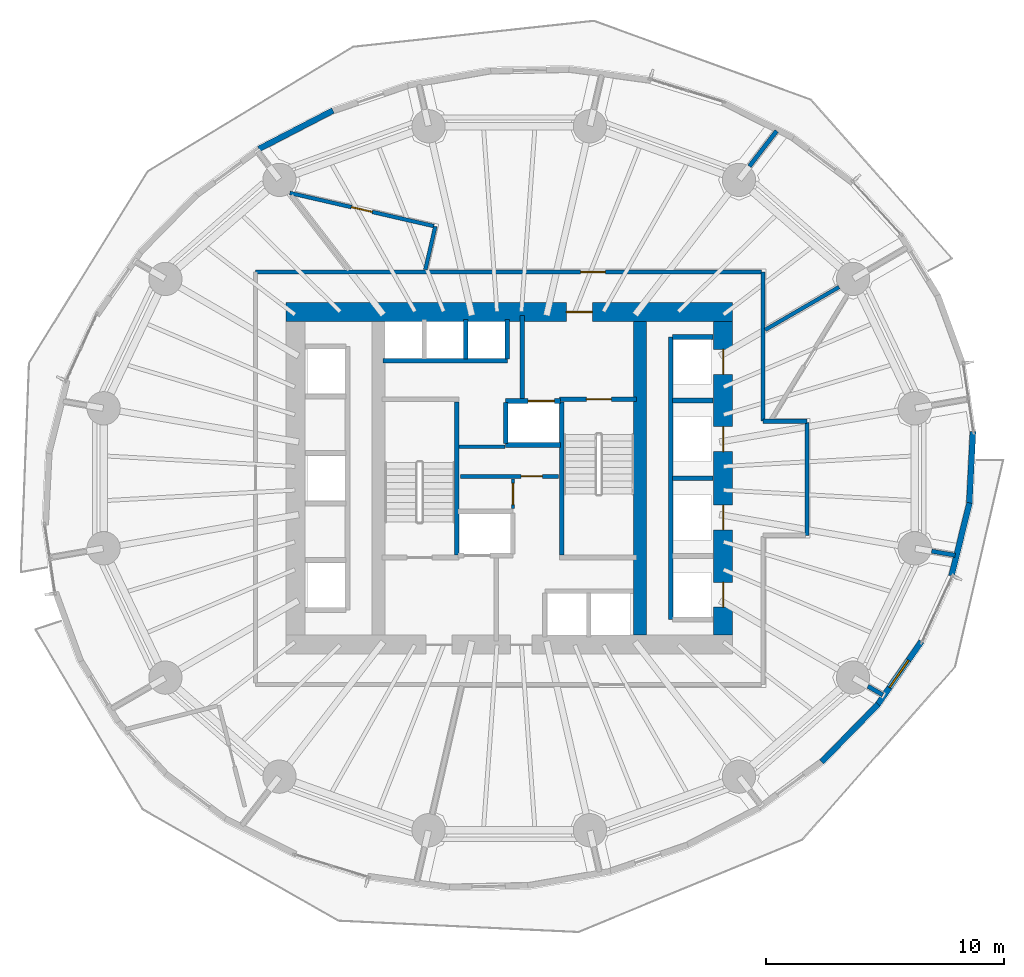
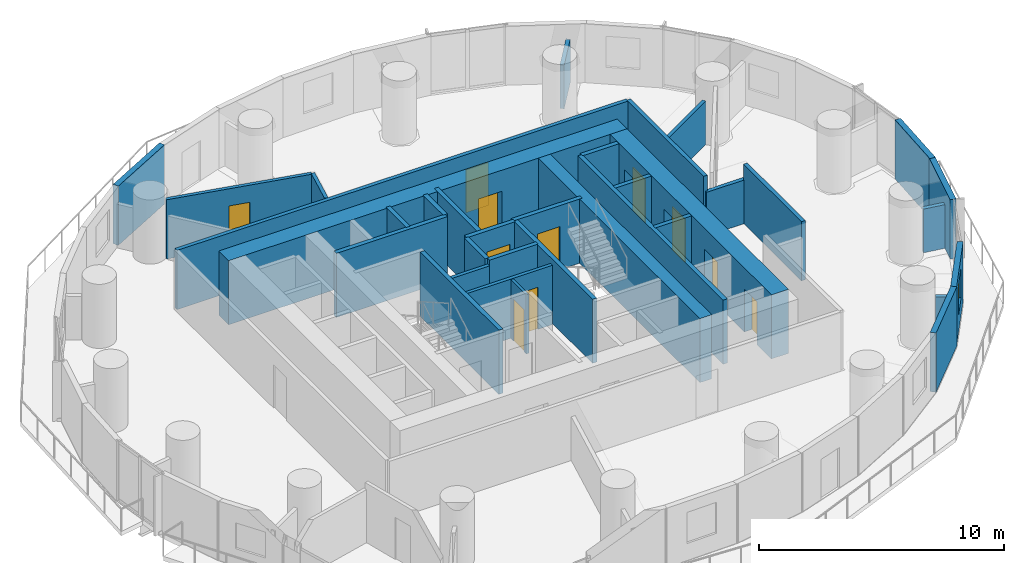
# One storey, part 8 of 13: 35 walls, 11 doors, 1 window, 12 openings.
"""IFC4 building model written with IfcOpenShell, lengths in metres."""

from ifc_helpers import new_model, si_unit, direction, frame, frame_2d, origin, place, context, subcontext, project, spatial, rectangle, extrude, material, layer, layer_set, type_object, element, fill, save


model = new_model("IFC4")

# Units and contexts
model_context = context("Model", 3, precision=1e-05, world=origin(), true_north=direction((0.0, 1.0)))
body_context = subcontext(model_context, "Body", "Model", "MODEL_VIEW")
ifc_project = project(units=[si_unit("LENGTHUNIT", "METRE"), si_unit("AREAUNIT", "SQUARE_METRE"), si_unit("VOLUMEUNIT", "CUBIC_METRE"), si_unit("PLANEANGLEUNIT", "RADIAN"), si_unit("MASSUNIT", "GRAM", prefix="KILO")], contexts=[model_context])

# Site, building, storey
site_placement = place(None, origin())
site = spatial("IfcSite", under=ifc_project, at=site_placement, CompositionType="ELEMENT")
building_placement = place(site_placement, origin())
building = spatial("IfcBuilding", under=site, at=building_placement, Name="Veldorim Arch Residences", CompositionType="ELEMENT")
storey_placement = place(building_placement, frame((0.0, 0.0, 60.0)))
storey = spatial("IfcBuildingStorey", under=building, at=storey_placement, Name="L17", CompositionType="ELEMENT", Elevation=60.0)

# Wall, opening, door
ifc_material_1 = material(Name="Acoustic Gypsum Board", Category="gypsum")
ifc_layer_1 = layer(ifc_material_1, 0.125, Name="Acoustic Stud Room Partition Wall 125")
ifc_layer_set_1 = layer_set([ifc_layer_1], Name="Acoustic Gypsum Board")
wall_type_1 = type_object("IfcWallType", Name="Acoustic Stud Room Partition Wall 125", PredefinedType="PARTITIONING", material=ifc_layer_set_1)
wall_1_placement = place(storey_placement, frame((32.159912109375, 22.719970703125, 0.0), z_axis=(0.0, 0.0, 1.0), x_axis=(0.0, 1.0, 0.0)))
wall_1 = element("IfcWall", 1, at=wall_1_placement, inside=storey, type_object=wall_type_1, Name="L17 interior wall WL-CA-L17-2", PredefinedType="PARTITIONING", context=body_context, shape_type="SweptSolid", body=[
    extrude(rectangle(XDim=1.25, YDim=0.125, at=frame_2d((0.625, 0.0))), origin(), (0.0, 0.0, 1.0), 2.955078125),
])
opening_1_placement = place(wall_1_placement, frame((0.169921875, 0.0, 0.0)))
opening_1 = element("IfcOpeningElement", 2, at=opening_1_placement, cuts=wall_1, Name="Opening DR-SVC", PredefinedType="OPENING", context=body_context, shape_type="SweptSolid", body=[
    extrude(rectangle(XDim=0.89990234375, YDim=2.10009765625, at=frame_2d((0.449951171875, 1.050048828125))), frame((0.0, 0.072509765625, 0.0), z_axis=(0.0, -1.0, 0.0), x_axis=(1.0, 0.0, 0.0)), (0.0, 0.0, 1.0), 0.14501953125),
])
ifc_material_2 = material(Name="Fire-Rated Steel", Category="steel")
door_type_1 = type_object("IfcDoorType", Name="Riser, Shelter & Plant Room Rated Steel Door 900x2100", OperationType="SINGLE_SWING_LEFT", PredefinedType="DOOR", material=ifc_material_2)
door_1_placement = place(opening_1_placement, origin())
door_1 = element("IfcDoor", 3, at=door_1_placement, inside=storey, type_object=door_type_1, Name="L17 interior door DR-L17-CA2", OperationType="SINGLE_SWING_RIGHT", OverallHeight=2.10009765625, OverallWidth=0.89990234375, PredefinedType="DOOR", context=body_context, shape_type="SweptSolid", body=[
    extrude(rectangle(XDim=0.89990234375, YDim=2.10009765625, at=frame_2d((0.449951171875, 1.050048828125))), frame((0.0, 0.02490234375, 0.0), z_axis=(0.0, -1.0, 0.0), x_axis=(1.0, 0.0, 0.0)), (0.0, 0.0, 1.0), 0.050048828125),
])
fill(opening_1, door_1)

# Walls
ifc_material_3 = material(Name="Lightweight Masonry Block & Gypsum", Category="masonry")
ifc_layer_2 = layer(ifc_material_3, 0.179931640625, Name="Compartment & Corridor Fire-Rated Party Wall 180")
ifc_layer_set_2 = layer_set([ifc_layer_2], Name="Lightweight Masonry Block & Gypsum")
wall_type_2 = type_object("IfcWallType", Name="Compartment & Corridor Fire-Rated Party Wall 180", PredefinedType="PARTITIONING", material=ifc_layer_set_2)
wall_2_placement = place(storey_placement, frame((42.106201171875, 37.125732421875, 0.0), z_axis=(0.0, 0.0, 1.0), x_axis=(0.610131095296, 0.792300477441, 0.0)))
element("IfcWall", 4, at=wall_2_placement, inside=storey, type_object=wall_type_2, Name="L17 interior wall WL-PIER-L17-03", PredefinedType="PARTITIONING", context=body_context, shape_type="SweptSolid", body=[
    extrude(rectangle(XDim=1.88037109375, YDim=0.179931640625, at=frame_2d((0.940185546875, 0.0))), origin(), (0.0, 0.0, 1.0), 2.17822265625),
])
wall_3_placement = place(storey_placement, frame((47.090576171875, 15.249755859375, 0.0), z_axis=(0.0, 0.0, 1.0), x_axis=(0.865051537272, -0.501683005356, 0.0)))
element("IfcWall", 5, at=wall_3_placement, inside=storey, type_object=wall_type_2, Name="L17 interior wall WL-PIER-L17-15", PredefinedType="PARTITIONING", context=body_context, shape_type="SweptSolid", body=[
    extrude(rectangle(XDim=0.72900390625, YDim=0.179931640625, at=frame_2d((0.364501953125, 0.0))), origin(), (0.0, 0.0, 1.0), 2.17822265625),
])
wall_4_placement = place(storey_placement, frame((49.775146484375, 20.931640625, 0.0), z_axis=(0.0, 0.0, 1.0), x_axis=(0.985427922179, -0.170093533654, 0.0)))
element("IfcWall", 6, at=wall_4_placement, inside=storey, type_object=wall_type_2, Name="L17 interior wall WL-PIER-L17-16", PredefinedType="PARTITIONING", context=body_context, shape_type="SweptSolid", body=[
    extrude(rectangle(XDim=1.007568359375, YDim=0.179931640625, at=frame_2d((0.50390625, 0.0))), origin(), (0.0, 0.0, 1.0), 2.17822265625),
])
wall_5_placement = place(storey_placement, frame((42.679931640625, 26.39990234375, 0.0), z_axis=(0.0, 0.0, 1.0), x_axis=(1.0, 0.0, 0.0)))
element("IfcWall", 7, at=wall_5_placement, inside=storey, type_object=wall_type_2, Name="L17 interior wall WL-RES-L17-001", PredefinedType="PARTITIONING", context=body_context, shape_type="SweptSolid", body=[
    extrude(rectangle(XDim=1.85009765625, YDim=0.179931640625, at=frame_2d((0.925048828125, 0.0))), origin(), (0.0, 0.0, 1.0), 2.17822265625),
])
wall_6_placement = place(storey_placement, frame((44.530029296875, 26.340087890625, 0.0), z_axis=(0.0, 0.0, 1.0), x_axis=(0.0, -1.0, 0.0)))
element("IfcWall", 8, at=wall_6_placement, inside=storey, type_object=wall_type_2, Name="L17 interior wall WL-RES-L17-002", PredefinedType="PARTITIONING", context=body_context, shape_type="SweptSolid", body=[
    extrude(rectangle(XDim=4.739990234375, YDim=0.179931640625, at=frame_2d((2.3701171875, 0.0))), origin(), (0.0, 0.0, 1.0), 2.955078125),
])
wall_7_placement = place(storey_placement, frame((42.679931640625, 32.679931640625, 0.0), z_axis=(0.0, 0.0, 1.0), x_axis=(0.0, -1.0, 0.0)))
element("IfcWall", 9, at=wall_7_placement, inside=storey, type_object=wall_type_2, Name="L17 interior wall WL-RES-L17-006", PredefinedType="PARTITIONING", context=body_context, shape_type="SweptSolid", body=[
    extrude(rectangle(XDim=6.280029296875, YDim=0.179931640625, at=frame_2d((3.14013671875, 0.0))), origin(), (0.0, 0.0, 1.0), 2.955078125),
])

# Wall, opening, door
wall_8_placement = place(storey_placement, frame((21.320068359375, 32.679931640625, 0.0), z_axis=(0.0, 0.0, 1.0), x_axis=(1.0, 0.0, 0.0)))
wall_8 = element("IfcWall", 10, at=wall_8_placement, inside=storey, type_object=wall_type_2, Name="L17 interior wall WL-RES-L17-007", PredefinedType="PARTITIONING", context=body_context, shape_type="SweptSolid", body=[
    extrude(rectangle(XDim=21.300048828125, YDim=0.179931640625, at=frame_2d((10.64990234375, 0.0))), origin(), (0.0, 0.0, 1.0), 2.955078125),
])
opening_2_placement = place(wall_8_placement, frame((13.6796875, 0.0, 0.0)))
opening_2 = element("IfcOpeningElement", 11, at=opening_2_placement, cuts=wall_8, Name="Opening DR-FLT", PredefinedType="OPENING", context=body_context, shape_type="SweptSolid", body=[
    extrude(rectangle(XDim=1.050048828125, YDim=2.14990234375, at=frame_2d((0.52490234375, 1.074951171875))), frame((0.0, 0.099853515625, 0.0), z_axis=(0.0, -1.0, 0.0), x_axis=(1.0, 0.0, 0.0)), (0.0, 0.0, 1.0), 0.199951171875),
])
ifc_material_4 = material(Name="Fire-Rated Timber", Category="wood")
door_type_2 = type_object("IfcDoorType", Name="Apartment Entrance Solid-Core Fire Door 1050x2150", OperationType="SINGLE_SWING_LEFT", PredefinedType="DOOR", material=ifc_material_4)
door_2_placement = place(opening_2_placement, origin())
door_2 = element("IfcDoor", 12, at=door_2_placement, inside=storey, type_object=door_type_2, Name="L17 interior door DR-RES-L17-003", OperationType="SINGLE_SWING_LEFT", OverallHeight=2.14990234375, OverallWidth=1.050048828125, PredefinedType="DOOR", context=body_context, shape_type="SweptSolid", body=[
    extrude(rectangle(XDim=1.050048828125, YDim=2.14990234375, at=frame_2d((0.52490234375, 1.074951171875))), frame((0.0, 0.02490234375, 0.0), z_axis=(0.0, -1.0, 0.0), x_axis=(1.0, 0.0, 0.0)), (0.0, 0.0, 1.0), 0.050048828125),
])
fill(opening_2, door_2)

# Walls
ifc_material_5 = material(Name="Concrete C50/60", Category="concrete")
ifc_layer_3 = layer(ifc_material_5, 0.199951171875, Name="Core Stair & Lift Shaft Enclosure Wall 200")
ifc_layer_set_3 = layer_set([ifc_layer_3], Name="Concrete C50/60")
wall_type_3 = type_object("IfcWallType", Name="Core Stair & Lift Shaft Enclosure Wall 200", PredefinedType="SHEAR", material=ifc_layer_set_3)
for number, where, z_axis, x_axis, name in (
    (13, (29.7900390625, 20.780029296875, 0.0), (0.0, 0.0, 1.0), (0.0, 1.0, 0.0), "L17 shaft wall WL-SHF-L17-ST1-E"),
    (14, (34.2099609375, 20.780029296875, 0.0), (0.0, 0.0, 1.0), (0.0, 1.0, 0.0), "L17 shaft wall WL-SHF-L17-ST2-W"),
):
    element("IfcWall", number, at=place(storey_placement, frame(where, z_axis=z_axis, x_axis=x_axis)), inside=storey, type_object=wall_type_3, Name=name, PredefinedType="SHEAR", context=body_context, shape_type="SweptSolid", body=[
        extrude(rectangle(XDim=6.43994140625, YDim=0.199951171875, at=frame_2d((3.219970703125, 0.0))), origin(), (0.0, 0.0, 1.0), 3.199951171875),
    ])

# Wall, opening, door
wall_9_placement = place(storey_placement, frame((34.110107421875, 27.330078125, 0.0), z_axis=(0.0, 0.0, 1.0), x_axis=(1.0, 0.0, 0.0)))
wall_9 = element("IfcWall", 15, at=wall_9_placement, inside=storey, type_object=wall_type_3, Name="L17 shaft wall WL-SHF-L17-ST2-N", PredefinedType="SHEAR", context=body_context, shape_type="SweptSolid", body=[
    extrude(rectangle(XDim=3.239990234375, YDim=0.199951171875, at=frame_2d((1.6201171875, 0.0))), origin(), (0.0, 0.0, 1.0), 3.199951171875),
])
opening_3_placement = place(wall_9_placement, frame((1.135009765625, 0.0, 0.0)))
opening_3 = element("IfcOpeningElement", 16, at=opening_3_placement, cuts=wall_9, Name="Opening DR-ST", PredefinedType="OPENING", context=body_context, shape_type="SweptSolid", body=[
    extrude(rectangle(XDim=1.050048828125, YDim=2.14990234375, at=frame_2d((0.52490234375, 1.074951171875))), frame((0.0, 0.10986328125, 0.0), z_axis=(0.0, -1.0, 0.0), x_axis=(1.0, 0.0, 0.0)), (0.0, 0.0, 1.0), 0.219970703125),
])
ifc_material_6 = material(Name="Fire-Rated Steel", Category="steel")
door_type_3 = type_object("IfcDoorType", Name="Exit Staircase Self-Closing Fire Door 1050x2150", OperationType="SINGLE_SWING_LEFT", PredefinedType="DOOR", material=ifc_material_6)
door_3_placement = place(opening_3_placement, origin())
door_3 = element("IfcDoor", 17, at=door_3_placement, inside=storey, type_object=door_type_3, Name="L17 interior door DR-L17-ST2", OperationType="SINGLE_SWING_RIGHT", OverallHeight=2.14990234375, OverallWidth=1.050048828125, PredefinedType="DOOR", context=body_context, shape_type="SweptSolid", body=[
    extrude(rectangle(XDim=1.050048828125, YDim=2.14990234375, at=frame_2d((0.52490234375, 1.074951171875))), frame((0.0, 0.02490234375, 0.0), z_axis=(0.0, -1.0, 0.0), x_axis=(1.0, 0.0, 0.0)), (0.0, 0.0, 1.0), 0.050048828125),
])
fill(opening_3, door_3)

# Wall
wall_10_placement = place(storey_placement, frame((32.550048828125, 27.35009765625, 0.0), z_axis=(0.0, 0.0, 1.0), x_axis=(0.0, 1.0, 0.0)))
element("IfcWall", 18, at=wall_10_placement, inside=storey, type_object=wall_type_3, Name="L17 shaft wall WL-FFL2-L17-W", PredefinedType="SHEAR", context=body_context, shape_type="SweptSolid", body=[
    extrude(rectangle(XDim=3.5, YDim=0.199951171875, at=frame_2d((1.75, 0.0))), origin(), (0.0, 0.0, 1.0), 3.199951171875),
])

# Wall, opening, door
wall_11_placement = place(storey_placement, frame((31.85009765625, 27.25, 0.0), z_axis=(0.0, 0.0, 1.0), x_axis=(1.0, 0.0, 0.0)))
wall_11 = element("IfcWall", 19, at=wall_11_placement, inside=storey, type_object=wall_type_3, Name="L17 shaft wall WL-FL02-L17-N", PredefinedType="SHEAR", context=body_context, shape_type="SweptSolid", body=[
    extrude(rectangle(XDim=2.2998046875, YDim=0.199951171875, at=frame_2d((1.14990234375, 0.0))), origin(), (0.0, 0.0, 1.0), 3.199951171875),
])
opening_4_placement = place(wall_11_placement, frame((0.949951171875, 0.0, 0.0)))
opening_4 = element("IfcOpeningElement", 20, at=opening_4_placement, cuts=wall_11, Name="Opening LD-FF", PredefinedType="OPENING", context=body_context, shape_type="SweptSolid", body=[
    extrude(rectangle(XDim=1.10009765625, YDim=2.14990234375, at=frame_2d((0.550048828125, 1.074951171875))), frame((0.0, 0.10986328125, 0.0), z_axis=(0.0, -1.0, 0.0), x_axis=(1.0, 0.0, 0.0)), (0.0, 0.0, 1.0), 0.219970703125),
])
ifc_material_7 = material(Name="Stainless Steel", Category="steel")
door_type_4 = type_object("IfcDoorType", Name="Firefighting Lift Bi-Parting Sliding Landing Door 1100x2150", OperationType="DOUBLE_DOOR_SLIDING", PredefinedType="DOOR", material=ifc_material_7)
door_4_placement = place(opening_4_placement, origin())
door_4 = element("IfcDoor", 21, at=door_4_placement, inside=storey, type_object=door_type_4, Name="L17 lift landing door LD-L17-FL02", OperationType="DOUBLE_DOOR_SLIDING", OverallHeight=2.14990234375, OverallWidth=1.10009765625, PredefinedType="DOOR", context=body_context, shape_type="SweptSolid", body=[
    extrude(rectangle(XDim=1.10009765625, YDim=2.14990234375, at=frame_2d((0.550048828125, 1.074951171875))), frame((0.0, 0.02490234375, 0.0), z_axis=(0.0, -1.0, 0.0), x_axis=(1.0, 0.0, 0.0)), (0.0, 0.0, 1.0), 0.050048828125),
])
fill(opening_4, door_4)

# Walls
wall_12_placement = place(storey_placement, frame((31.85009765625, 25.39990234375, 0.0), z_axis=(0.0, 0.0, 1.0), x_axis=(1.0, 0.0, 0.0)))
element("IfcWall", 22, at=wall_12_placement, inside=storey, type_object=wall_type_3, Name="L17 shaft wall WL-FL02-L17-S", PredefinedType="SHEAR", context=body_context, shape_type="SweptSolid", body=[
    extrude(rectangle(XDim=2.2998046875, YDim=0.199951171875, at=frame_2d((1.14990234375, 0.0))), origin(), (0.0, 0.0, 1.0), 3.199951171875),
])
wall_13_placement = place(storey_placement, frame((31.85009765625, 25.469970703125, 0.0), z_axis=(0.0, 0.0, 1.0), x_axis=(0.0, 1.0, 0.0)))
element("IfcWall", 23, at=wall_13_placement, inside=storey, type_object=wall_type_3, Name="L17 shaft wall WL-FL02-L17-W", PredefinedType="SHEAR", context=body_context, shape_type="SweptSolid", body=[
    extrude(rectangle(XDim=1.7099609375, YDim=0.199951171875, at=frame_2d((0.85498046875, 0.0))), origin(), (0.0, 0.0, 1.0), 3.199951171875),
])
wall_14_placement = place(storey_placement, frame((38.800048828125, 18.06005859375, 0.0), z_axis=(0.0, 0.0, 1.0), x_axis=(0.0, 1.0, 0.0)))
element("IfcWall", 24, at=wall_14_placement, inside=storey, type_object=wall_type_3, Name="L17 shaft wall WL-B1-L17-W", PredefinedType="SHEAR", context=body_context, shape_type="SweptSolid", body=[
    extrude(rectangle(XDim=11.8798828125, YDim=0.199951171875, at=frame_2d((5.93994140625, 0.0))), origin(), (0.0, 0.0, 1.0), 3.199951171875),
])
for number, where, z_axis, x_axis, name in (
    (25, (38.8701171875, 29.93994140625, 0.0), (0.0, 0.0, 1.0), (1.0, 0.0, 0.0), "L17 shaft wall WL-B1-L17-N"),
    (26, (38.8701171875, 24.0, 0.0), (0.0, 0.0, 1.0), (1.0, 0.0, 0.0), "L17 shaft wall WL-B1-L17-D2"),
    (27, (38.8701171875, 27.27490234375, 0.0), (0.0, 0.0, 1.0), (1.0, 0.0, 0.0), "L17 shaft wall WL-B1-L17-D3"),
):
    element("IfcWall", number, at=place(storey_placement, frame(where, z_axis=z_axis, x_axis=x_axis)), inside=storey, type_object=wall_type_3, Name=name, PredefinedType="SHEAR", context=body_context, shape_type="SweptSolid", body=[
        extrude(rectangle(XDim=1.7099609375, YDim=0.199951171875, at=frame_2d((0.85498046875, 0.0))), origin(), (0.0, 0.0, 1.0), 3.199951171875),
    ])
wall_15_placement = place(storey_placement, frame((26.679931640625, 28.949951171875, 0.0), z_axis=(0.0, 0.0, 1.0), x_axis=(1.0, 0.0, 0.0)))
element("IfcWall", 28, at=wall_15_placement, inside=storey, type_object=wall_type_3, Name="L17 shaft wall WL-B3-L17-S", PredefinedType="SHEAR", context=body_context, shape_type="SweptSolid", body=[
    extrude(rectangle(XDim=5.239990234375, YDim=0.199951171875, at=frame_2d((2.6201171875, 0.0))), origin(), (0.0, 0.0, 1.0), 3.199951171875),
])
for number, where, z_axis, x_axis, name in (
    (29, (31.919921875, 29.02001953125, 0.0), (0.0, 0.0, 1.0), (0.0, 1.0, 0.0), "L17 shaft wall WL-B3-L17-E"),
    (30, (30.175048828125, 29.02001953125, 0.0), (0.0, 0.0, 1.0), (0.0, 1.0, 0.0), "L17 shaft wall WL-B3-L17-D2"),
):
    element("IfcWall", number, at=place(storey_placement, frame(where, z_axis=z_axis, x_axis=x_axis)), inside=storey, type_object=wall_type_3, Name=name, PredefinedType="SHEAR", context=body_context, shape_type="SweptSolid", body=[
        extrude(rectangle(XDim=1.659912109375, YDim=0.199951171875, at=frame_2d((0.830078125, 0.0))), origin(), (0.0, 0.0, 1.0), 3.199951171875),
    ])
ifc_material_8 = material(Name="Concrete C60/75", Category="concrete")
ifc_layer_4 = layer(ifc_material_8, 0.56005859375, Name="Internal Core Shear Web Wall 560")
ifc_layer_set_4 = layer_set([ifc_layer_4], Name="Concrete C60/75")
wall_type_4 = type_object("IfcWallType", Name="Internal Core Shear Web Wall 560", PredefinedType="SHEAR", material=ifc_layer_set_4)
wall_16_placement = place(storey_placement, frame((37.5, 17.39990234375, 0.0), z_axis=(0.0, 0.0, 1.0), x_axis=(0.0, 1.0, 0.0)))
element("IfcWall", 31, at=wall_16_placement, inside=storey, type_object=wall_type_4, Name="L17 core east internal shear web", PredefinedType="SHEAR", context=body_context, shape_type="SweptSolid", body=[
    extrude(rectangle(XDim=13.2001953125, YDim=0.56005859375, at=frame_2d((6.60009765625, 0.0))), origin(), (0.0, 0.0, 1.0), 3.199951171875),
])

# Wall, opening, door
ifc_material_9 = material(Name="Concrete C60/75", Category="concrete")
ifc_layer_5 = layer(ifc_material_9, 0.800048828125, Name="Lower Central Core Shear Wall 800")
ifc_layer_set_5 = layer_set([ifc_layer_5], Name="Concrete C60/75")
wall_type_5 = type_object("IfcWallType", Name="Lower Central Core Shear Wall 800", PredefinedType="SHEAR", material=ifc_layer_set_5)
wall_17_placement = place(storey_placement, frame((22.60009765625, 31.0, 0.0), z_axis=(0.0, 0.0, 1.0), x_axis=(1.0, 0.0, 0.0)))
wall_17 = element("IfcWall", 32, at=wall_17_placement, inside=storey, type_object=wall_type_5, Name="L17 central core north shear wall", PredefinedType="SHEAR", context=body_context, shape_type="SweptSolid", body=[
    extrude(rectangle(XDim=18.7998046875, YDim=0.800048828125, at=frame_2d((9.39990234375, 0.0))), origin(), (0.0, 0.0, 1.0), 3.199951171875),
])
opening_5_placement = place(wall_17_placement, frame((11.800048828125, 0.0, 0.0)))
opening_5 = element("IfcOpeningElement", 33, at=opening_5_placement, cuts=wall_17, Name="Opening DR-FFL", PredefinedType="OPENING", context=body_context, shape_type="SweptSolid", body=[
    extrude(rectangle(XDim=1.10009765625, YDim=2.14990234375, at=frame_2d((0.550048828125, 1.074951171875))), frame((0.0, 0.409912109375, 0.0), z_axis=(0.0, -1.0, 0.0), x_axis=(1.0, 0.0, 0.0)), (0.0, 0.0, 1.0), 0.820068359375),
])
ifc_material_10 = material(Name="Fire-Rated Steel & Vision Glass", Category="steel")
door_type_5 = type_object("IfcDoorType", Name="Firefighting Lobby Smoke-Stop Fire Door 1100x2150", OperationType="SINGLE_SWING_LEFT", PredefinedType="DOOR", material=ifc_material_10)
door_5_placement = place(opening_5_placement, origin())
door_5 = element("IfcDoor", 34, at=door_5_placement, inside=storey, type_object=door_type_5, Name="L17 interior door DR-L17-FFL2", OperationType="SINGLE_SWING_LEFT", OverallHeight=2.14990234375, OverallWidth=1.10009765625, PredefinedType="DOOR", context=body_context, shape_type="SweptSolid", body=[
    extrude(rectangle(XDim=1.10009765625, YDim=2.14990234375, at=frame_2d((0.550048828125, 1.074951171875))), frame((0.0, 0.02490234375, 0.0), z_axis=(0.0, -1.0, 0.0), x_axis=(1.0, 0.0, 0.0)), (0.0, 0.0, 1.0), 0.050048828125),
])
fill(opening_5, door_5)

# Wall, openings, doors
wall_18_placement = place(storey_placement, frame((41.0, 17.39990234375, 0.0), z_axis=(0.0, 0.0, 1.0), x_axis=(0.0, 1.0, 0.0)))
wall_18 = element("IfcWall", 35, at=wall_18_placement, inside=storey, type_object=wall_type_5, Name="L17 central core east shear wall", PredefinedType="SHEAR", context=body_context, shape_type="SweptSolid", body=[
    extrude(rectangle(XDim=13.2001953125, YDim=0.800048828125, at=frame_2d((6.60009765625, 0.0))), origin(), (0.0, 0.0, 1.0), 3.199951171875),
])
opening_6_placement = place(wall_18_placement, frame((1.175048828125, 0.0, 0.0)))
opening_6 = element("IfcOpeningElement", 36, at=opening_6_placement, cuts=wall_18, Name="Opening LD-PS", PredefinedType="OPENING", context=body_context, shape_type="SweptSolid", body=[
    extrude(rectangle(XDim=1.050048828125, YDim=2.14990234375, at=frame_2d((0.52490234375, 1.074951171875))), frame((0.0, 0.409912109375, 0.0), z_axis=(0.0, -1.0, 0.0), x_axis=(1.0, 0.0, 0.0)), (0.0, 0.0, 1.0), 0.820068359375),
])
opening_7_placement = place(wall_18_placement, frame((4.425048828125, 0.0, 0.0)))
opening_7 = element("IfcOpeningElement", 37, at=opening_7_placement, cuts=wall_18, Name="Opening LD-PS", PredefinedType="OPENING", context=body_context, shape_type="SweptSolid", body=[
    extrude(rectangle(XDim=1.050048828125, YDim=2.14990234375, at=frame_2d((0.52490234375, 1.074951171875))), frame((0.0, 0.409912109375, 0.0), z_axis=(0.0, -1.0, 0.0), x_axis=(1.0, 0.0, 0.0)), (0.0, 0.0, 1.0), 0.820068359375),
])
opening_8_placement = place(wall_18_placement, frame((7.72509765625, 0.0, 0.0)))
opening_8 = element("IfcOpeningElement", 38, at=opening_8_placement, cuts=wall_18, Name="Opening LD-PS", PredefinedType="OPENING", context=body_context, shape_type="SweptSolid", body=[
    extrude(rectangle(XDim=1.050048828125, YDim=2.14990234375, at=frame_2d((0.52490234375, 1.074951171875))), frame((0.0, 0.409912109375, 0.0), z_axis=(0.0, -1.0, 0.0), x_axis=(1.0, 0.0, 0.0)), (0.0, 0.0, 1.0), 0.820068359375),
])
opening_9_placement = place(wall_18_placement, frame((10.97509765625, 0.0, 0.0)))
opening_9 = element("IfcOpeningElement", 39, at=opening_9_placement, cuts=wall_18, Name="Opening LD-PS", PredefinedType="OPENING", context=body_context, shape_type="SweptSolid", body=[
    extrude(rectangle(XDim=1.050048828125, YDim=2.14990234375, at=frame_2d((0.52490234375, 1.074951171875))), frame((0.0, 0.409912109375, 0.0), z_axis=(0.0, -1.0, 0.0), x_axis=(1.0, 0.0, 0.0)), (0.0, 0.0, 1.0), 0.820068359375),
])
ifc_material_11 = material(Name="Stainless Steel", Category="steel")
door_type_6 = type_object("IfcDoorType", Name="Passenger Lift Bi-Parting Sliding Landing Door 1050x2150", OperationType="DOUBLE_DOOR_SLIDING", PredefinedType="DOOR", material=ifc_material_11)
door_6_placement = place(opening_6_placement, origin())
door_6 = element("IfcDoor", 40, at=door_6_placement, inside=storey, type_object=door_type_6, Name="L17 lift landing door LD-L17-PL-01", OperationType="DOUBLE_DOOR_SLIDING", OverallHeight=2.14990234375, OverallWidth=1.050048828125, PredefinedType="DOOR", context=body_context, shape_type="SweptSolid", body=[
    extrude(rectangle(XDim=1.050048828125, YDim=2.14990234375, at=frame_2d((0.52490234375, 1.074951171875))), frame((0.0, 0.02490234375, 0.0), z_axis=(0.0, -1.0, 0.0), x_axis=(1.0, 0.0, 0.0)), (0.0, 0.0, 1.0), 0.050048828125),
])
fill(opening_6, door_6)
door_7_placement = place(opening_7_placement, origin())
door_7 = element("IfcDoor", 41, at=door_7_placement, inside=storey, type_object=door_type_6, Name="L17 lift landing door LD-L17-PL-02", OperationType="DOUBLE_DOOR_SLIDING", OverallHeight=2.14990234375, OverallWidth=1.050048828125, PredefinedType="DOOR", context=body_context, shape_type="SweptSolid", body=[
    extrude(rectangle(XDim=1.050048828125, YDim=2.14990234375, at=frame_2d((0.52490234375, 1.074951171875))), frame((0.0, 0.02490234375, 0.0), z_axis=(0.0, -1.0, 0.0), x_axis=(1.0, 0.0, 0.0)), (0.0, 0.0, 1.0), 0.050048828125),
])
fill(opening_7, door_7)
door_8_placement = place(opening_8_placement, origin())
door_8 = element("IfcDoor", 42, at=door_8_placement, inside=storey, type_object=door_type_6, Name="L17 lift landing door LD-L17-PL-03", OperationType="DOUBLE_DOOR_SLIDING", OverallHeight=2.14990234375, OverallWidth=1.050048828125, PredefinedType="DOOR", context=body_context, shape_type="SweptSolid", body=[
    extrude(rectangle(XDim=1.050048828125, YDim=2.14990234375, at=frame_2d((0.52490234375, 1.074951171875))), frame((0.0, 0.02490234375, 0.0), z_axis=(0.0, -1.0, 0.0), x_axis=(1.0, 0.0, 0.0)), (0.0, 0.0, 1.0), 0.050048828125),
])
fill(opening_8, door_8)
door_9_placement = place(opening_9_placement, origin())
door_9 = element("IfcDoor", 43, at=door_9_placement, inside=storey, type_object=door_type_6, Name="L17 lift landing door LD-L17-PL-04", OperationType="DOUBLE_DOOR_SLIDING", OverallHeight=2.14990234375, OverallWidth=1.050048828125, PredefinedType="DOOR", context=body_context, shape_type="SweptSolid", body=[
    extrude(rectangle(XDim=1.050048828125, YDim=2.14990234375, at=frame_2d((0.52490234375, 1.074951171875))), frame((0.0, 0.02490234375, 0.0), z_axis=(0.0, -1.0, 0.0), x_axis=(1.0, 0.0, 0.0)), (0.0, 0.0, 1.0), 0.050048828125),
])
fill(opening_9, door_9)

# Walls
ifc_material_12 = material(Name="Precast concrete C40/50", Category="concrete")
ifc_layer_6 = layer(ifc_material_12, 0.25, Name="Tower Terracotta Spandrel & Pier Wall 250")
ifc_layer_set_6 = layer_set([ifc_layer_6], Name="Precast concrete C40/50")
wall_type_6 = type_object("IfcWallType", Name="Tower Terracotta Spandrel & Pier Wall 250", PredefinedType="SOLIDWALL", material=ifc_layer_set_6)
wall_19_placement = place(storey_placement, frame((21.468017578125, 37.861083984375, 0.0), z_axis=(0.0, 0.0, 1.0), x_axis=(0.887956398997, 0.459927639396, 0.0)))
element("IfcWall", 44, at=wall_19_placement, inside=storey, type_object=wall_type_6, Name="L17 terracotta facade wall 11", PredefinedType="SOLIDWALL", context=body_context, shape_type="SweptSolid", body=[
    extrude(rectangle(XDim=3.512939453125, YDim=0.25, at=frame_2d((1.75634765625, 0.0))), origin(), (0.0, 0.0, 1.0), 2.9599609375),
])
wall_20_placement = place(storey_placement, frame((47.526123046875, 14.489990234375, 0.0), z_axis=(0.0, 0.0, 1.0), x_axis=(-0.699814992025, -0.714324139966, 0.0)))
element("IfcWall", 45, at=wall_20_placement, inside=storey, type_object=wall_type_6, Name="L17 terracotta facade wall 31", PredefinedType="SOLIDWALL", context=body_context, shape_type="SweptSolid", body=[
    extrude(rectangle(XDim=3.39892578125, YDim=0.25, at=frame_2d((1.699462890625, 0.0))), origin(), (0.0, 0.0, 1.0), 2.9599609375),
])

# Wall, opening, window
wall_21_placement = place(storey_placement, frame((49.34912109375, 17.135009765625, 0.0), z_axis=(0.0, 0.0, 1.0), x_axis=(-0.569901359672, -0.821713113102, 0.0)))
wall_21 = element("IfcWall", 46, at=wall_21_placement, inside=storey, type_object=wall_type_6, Name="L17 terracotta facade wall 32", PredefinedType="SOLIDWALL", context=body_context, shape_type="SweptSolid", body=[
    extrude(rectangle(XDim=3.322509765625, YDim=0.25, at=frame_2d((1.6611328125, 0.0))), origin(), (0.0, 0.0, 1.0), 2.9599609375),
])
opening_10_placement = place(wall_21_placement, frame((0.9609375, 0.0, 0.85009765625)))
opening_10 = element("IfcOpeningElement", 47, at=opening_10_placement, cuts=wall_21, Name="Opening WN-02", PredefinedType="OPENING", context=body_context, shape_type="SweptSolid", body=[
    extrude(rectangle(XDim=1.39990234375, YDim=1.550048828125, at=frame_2d((0.699951171875, 0.77490234375))), frame((0.0, 0.135009765625, 0.0), z_axis=(0.0, -1.0, 0.0), x_axis=(1.0, 0.0, 0.0)), (0.0, 0.0, 1.0), 0.27001953125),
])
ifc_material_13 = material(Name="Laminated Low-E Glass", Category="glass")
window_type = type_object("IfcWindowType", Name="Residential Casement Window 1400x1550", PartitioningType="SINGLE_PANEL", PredefinedType="WINDOW", material=ifc_material_13)
window_placement = place(opening_10_placement, origin())
window = element("IfcWindow", 48, at=window_placement, inside=storey, type_object=window_type, Name="L17 solar-control facade window 32", OverallHeight=1.550048828125, OverallWidth=1.39990234375, PartitioningType="SINGLE_PANEL", PredefinedType="WINDOW", context=body_context, shape_type="SweptSolid", body=[
    extrude(rectangle(XDim=1.39990234375, YDim=1.550048828125, at=frame_2d((0.699951171875, 0.77490234375))), frame((0.0, 0.030029296875, 0.0), z_axis=(0.0, -1.0, 0.0), x_axis=(1.0, 0.0, 0.0)), (0.0, 0.0, 1.0), 0.06005859375),
])
fill(opening_10, window)

# Walls
wall_22_placement = place(storey_placement, frame((51.37158203125, 22.962158203125, 0.0), z_axis=(0.0, 0.0, 1.0), x_axis=(-0.240996878469, -0.970525890725, 0.0)))
element("IfcWall", 49, at=wall_22_placement, inside=storey, type_object=wall_type_6, Name="L17 terracotta facade wall 34", PredefinedType="SOLIDWALL", context=body_context, shape_type="SweptSolid", body=[
    extrude(rectangle(XDim=3.173828125, YDim=0.25, at=frame_2d((1.5869140625, 0.0))), origin(), (0.0, 0.0, 1.0), 2.9599609375),
])
wall_23_placement = place(storey_placement, frame((51.5107421875, 25.96630859375, 0.0), z_axis=(0.0, 0.0, 1.0), x_axis=(-0.049914204831, -0.998753509208, 0.0)))
element("IfcWall", 50, at=wall_23_placement, inside=storey, type_object=wall_type_6, Name="L17 terracotta facade wall 35", PredefinedType="SOLIDWALL", context=body_context, shape_type="SweptSolid", body=[
    extrude(rectangle(XDim=3.12060546875, YDim=0.25, at=frame_2d((1.560302734375, 0.0))), origin(), (0.0, 0.0, 1.0), 2.9599609375),
])

# Wall, opening, door
ifc_material_14 = material(Name="Moisture-Resistant Gypsum & Stud", Category="gypsum")
ifc_layer_7 = layer(ifc_material_14, 0.159912109375, Name="Wet-Area Moisture-Resistant Plumbing Wall 160")
ifc_layer_set_7 = layer_set([ifc_layer_7], Name="Moisture-Resistant Gypsum & Stud")
wall_type_7 = type_object("IfcWallType", Name="Wet-Area Moisture-Resistant Plumbing Wall 160", PredefinedType="PLUMBINGWALL", material=ifc_layer_set_7)
wall_24_placement = place(storey_placement, frame((29.949951171875, 24.080078125, 0.0), z_axis=(0.0, 0.0, 1.0), x_axis=(1.0, 0.0, 0.0)))
wall_24 = element("IfcWall", 51, at=wall_24_placement, inside=storey, type_object=wall_type_7, Name="L17 interior wall WL-CA-L17-1", PredefinedType="PLUMBINGWALL", context=body_context, shape_type="SweptSolid", body=[
    extrude(rectangle(XDim=4.130126953125, YDim=0.159912109375, at=frame_2d((2.06494140625, 0.0))), origin(), (0.0, 0.0, 1.0), 2.955078125),
])
opening_11_placement = place(wall_24_placement, frame((2.550048828125, 0.0, 0.0)))
opening_11 = element("IfcOpeningElement", 52, at=opening_11_placement, cuts=wall_24, Name="Opening DR-WC", PredefinedType="OPENING", context=body_context, shape_type="SweptSolid", body=[
    extrude(rectangle(XDim=0.89990234375, YDim=2.10009765625, at=frame_2d((0.449951171875, 1.050048828125))), frame((0.0, 0.08984375, 0.0), z_axis=(0.0, -1.0, 0.0), x_axis=(1.0, 0.0, 0.0)), (0.0, 0.0, 1.0), 0.179931640625),
])
ifc_material_15 = material(Name="Laminate Timber", Category="wood")
door_type_7 = type_object("IfcDoorType", Name="Bathroom & Accessible WC Moisture-Sealed Door 900x2100", OperationType="SINGLE_SWING_LEFT", PredefinedType="DOOR", material=ifc_material_15)
door_10_placement = place(opening_11_placement, origin())
door_10 = element("IfcDoor", 53, at=door_10_placement, inside=storey, type_object=door_type_7, Name="L17 interior door DR-L17-CA1", OperationType="SINGLE_SWING_LEFT", OverallHeight=2.10009765625, OverallWidth=0.89990234375, PredefinedType="DOOR", context=body_context, shape_type="SweptSolid", body=[
    extrude(rectangle(XDim=0.89990234375, YDim=2.10009765625, at=frame_2d((0.449951171875, 1.050048828125))), frame((0.0, 0.02490234375, 0.0), z_axis=(0.0, -1.0, 0.0), x_axis=(1.0, 0.0, 0.0)), (0.0, 0.0, 1.0), 0.050048828125),
])
fill(opening_11, door_10)

# Walls
wall_25_placement = place(storey_placement, frame((29.889892578125, 25.330078125, 0.0), z_axis=(0.0, 0.0, 1.0), x_axis=(1.0, 0.0, 0.0)))
element("IfcWall", 54, at=wall_25_placement, inside=storey, type_object=wall_type_7, Name="L17 interior wall WL-CA-L17-N", PredefinedType="PLUMBINGWALL", context=body_context, shape_type="SweptSolid", body=[
    extrude(rectangle(XDim=1.940185546875, YDim=0.159912109375, at=frame_2d((0.97021484375, 0.0))), origin(), (0.0, 0.0, 1.0), 2.955078125),
])
wall_26_placement = place(storey_placement, frame((42.7666015625, 30.242919921875, 0.0), z_axis=(0.0, 0.0, 1.0), x_axis=(0.865055926686, 0.501675436617, 0.0)))
element("IfcWall", 55, at=wall_26_placement, inside=storey, type_object=wall_type_7, Name="L17 interior wall WL-RES-L17-011", PredefinedType="PLUMBINGWALL", context=body_context, shape_type="SweptSolid", body=[
    extrude(rectangle(XDim=3.597900390625, YDim=0.159912109375, at=frame_2d((1.798828125, 0.0))), origin(), (0.0, 0.0, 1.0), 2.17822265625),
])
wall_27_placement = place(storey_placement, frame((28.4716796875, 32.777587890625, 0.0), z_axis=(0.0, 0.0, 1.0), x_axis=(0.224134039234, 0.974558326862, 0.0)))
element("IfcWall", 56, at=wall_27_placement, inside=storey, type_object=wall_type_7, Name="L17 interior wall WL-RES-L17-012", PredefinedType="PLUMBINGWALL", context=body_context, shape_type="SweptSolid", body=[
    extrude(rectangle(XDim=1.8681640625, YDim=0.159912109375, at=frame_2d((0.93408203125, 0.0))), origin(), (0.0, 0.0, 1.0), 2.955078125),
])

# Wall, opening, door
wall_28_placement = place(storey_placement, frame((28.831787109375, 34.611572265625, 0.0), z_axis=(0.0, 0.0, 1.0), x_axis=(-0.97457275657, 0.224071288102, 0.0)))
wall_28 = element("IfcWall", 57, at=wall_28_placement, inside=storey, type_object=wall_type_7, Name="L17 interior wall WL-RES-L17-013", PredefinedType="PLUMBINGWALL", context=body_context, shape_type="SweptSolid", body=[
    extrude(rectangle(XDim=6.221435546875, YDim=0.159912109375, at=frame_2d((3.11083984375, 0.0))), origin(), (0.0, 0.0, 1.0), 2.955078125),
])
opening_12_placement = place(wall_28_placement, frame((2.66064453125, 0.0, 0.0)))
opening_12 = element("IfcOpeningElement", 58, at=opening_12_placement, cuts=wall_28, Name="Opening DR-WC", PredefinedType="OPENING", context=body_context, shape_type="SweptSolid", body=[
    extrude(rectangle(XDim=0.89990234375, YDim=2.10009765625, at=frame_2d((0.449951171875, 1.050048828125))), frame((0.0, 0.08984375, 0.0), z_axis=(0.0, -1.0, 0.0), x_axis=(1.0, 0.0, 0.0)), (0.0, 0.0, 1.0), 0.179931640625),
])
door_11_placement = place(opening_12_placement, origin())
door_11 = element("IfcDoor", 59, at=door_11_placement, inside=storey, type_object=door_type_7, Name="L17 interior door DR-RES-L17-004", OperationType="SINGLE_SWING_RIGHT", OverallHeight=2.10009765625, OverallWidth=0.89990234375, PredefinedType="DOOR", context=body_context, shape_type="SweptSolid", body=[
    extrude(rectangle(XDim=0.89990234375, YDim=2.10009765625, at=frame_2d((0.449951171875, 1.050048828125))), frame((0.0, 0.02490234375, 0.0), z_axis=(0.0, -1.0, 0.0), x_axis=(1.0, 0.0, 0.0)), (0.0, 0.0, 1.0), 0.050048828125),
])
fill(opening_12, door_11)

save(model, "model.ifc")
